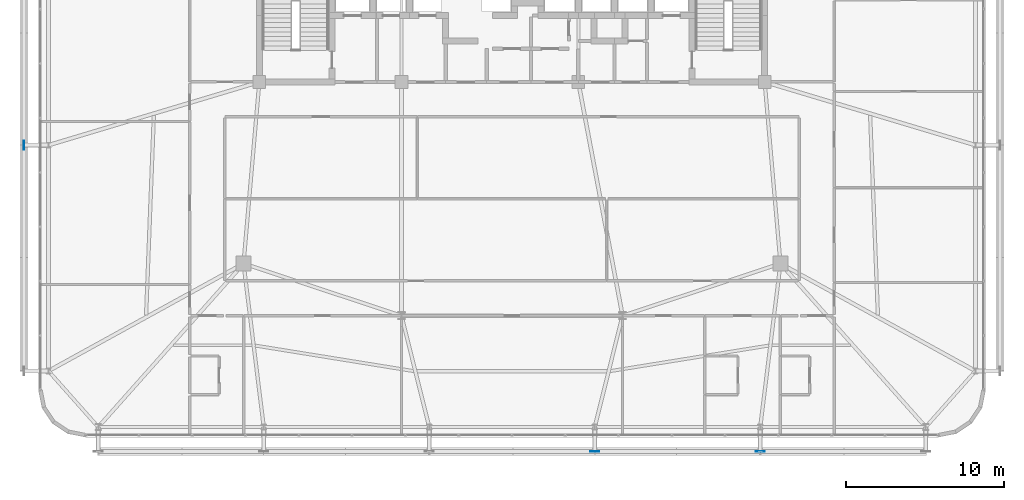
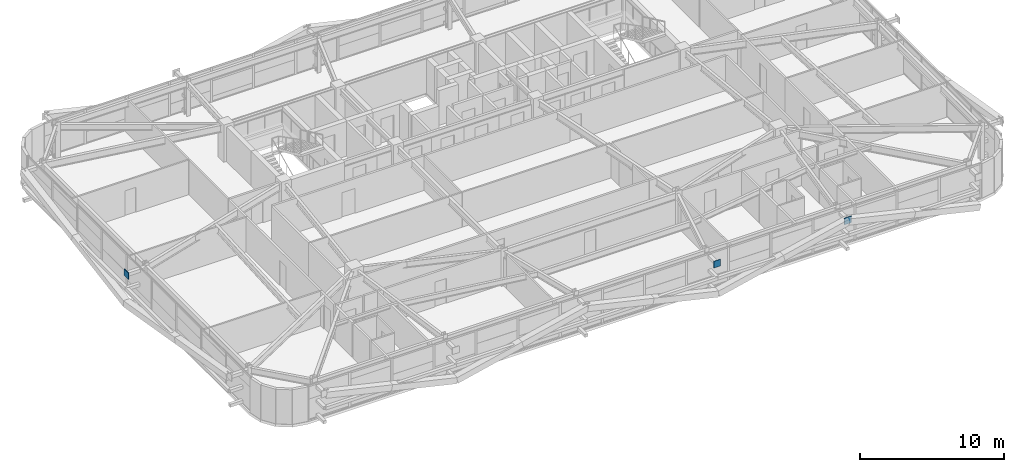
# One storey, part 46 of 59: 3 plates.
"""IFC4 building model written with IfcOpenShell, lengths in metres."""

import ifcopenshell
import ifcopenshell.guid

model = None  # the IFC model being written
_history = None  # IfcOwnerHistory: only IFC2X3 demands one
_inside = {}  # id of a spatial element -> (the spatial element, [elements in it])
_under = {}  # id of a project, library or spatial element -> (it, [spatial elements below it])
_declared = {}  # id of a project -> (the project, [libraries it declares])
_typed = {}  # id of a type object -> (the type object, [elements of that type])
_made_of = {}  # id of a material, layer set ... -> (it, [elements and type objects made of it])


def new_model(schema):
    """Start an empty IFC model of exactly this schema.

    Asked for "IFC4X3", IfcOpenShell would pick the latest addendum, in which some entities
    have other attributes; the version numbers below select the first issue.
    IFC2X3 requires an IfcOwnerHistory on every rooted entity: one is made here for all.
    """
    global model, _history
    if schema == "IFC4X3":
        model = ifcopenshell.file(schema_version=(4, 3, 0, 0))
    else:
        model = ifcopenshell.file(schema=schema)
    _inside.clear()
    _under.clear()
    _declared.clear()
    _typed.clear()
    _made_of.clear()
    _history = None
    if model.schema == "IFC2X3":
        org = make("IfcOrganization", Name="unknown")
        user = make(
            "IfcPersonAndOrganization",
            ThePerson=make("IfcPerson", FamilyName="unknown"),
            TheOrganization=org,
        )
        app = make(
            "IfcApplication",
            ApplicationDeveloper=org,
            Version="unknown",
            ApplicationFullName="unknown",
            ApplicationIdentifier="unknown",
        )
        _history = make(
            "IfcOwnerHistory",
            OwningUser=user,
            OwningApplication=app,
            ChangeAction="ADDED",
            CreationDate=0,
        )
    return model


def make(cls, **values):
    """One entity of the class cls with the attributes given. An attribute that is None is left unset."""
    return model.create_entity(
        cls, **{name: value for name, value in values.items() if value is not None}
    )


def rooted(cls, **values):
    """An entity with a GlobalId (a new one), such as an element, a storey or a relation."""
    return make(cls, GlobalId=ifcopenshell.guid.new(), OwnerHistory=_history, **values)


def si_unit(unit_type, name, prefix=None):
    """IfcSIUnit, for example si_unit("LENGTHUNIT", "METRE", prefix="MILLI")."""
    return make("IfcSIUnit", UnitType=unit_type, Prefix=prefix, Name=name)


def assignment(units):
    """IfcUnitAssignment: the units of a project."""
    return None if units is None else make("IfcUnitAssignment", Units=units)


def point(xyz):
    """IfcCartesianPoint."""
    return None if xyz is None else make("IfcCartesianPoint", Coordinates=xyz)


def direction(xyz):
    """IfcDirection."""
    return None if xyz is None else make("IfcDirection", DirectionRatios=xyz)


def frame(location, z_axis=None, x_axis=None):
    """IfcAxis2Placement3D, a coordinate frame: its origin and axes. An axis left out is left unset."""
    return make(
        "IfcAxis2Placement3D",
        Location=point(location),
        Axis=direction(z_axis),
        RefDirection=direction(x_axis),
    )


def frame_2d(location, x_axis=None):
    """IfcAxis2Placement2D, a coordinate frame in the plane: its origin and x axis."""
    return make(
        "IfcAxis2Placement2D", Location=point(location), RefDirection=direction(x_axis)
    )


def origin():
    """The frame at (0, 0, 0) with its axes left unset."""
    return frame((0.0, 0.0, 0.0))


def origin_2d():
    """The frame at (0, 0) in the plane with its x axis left unset."""
    return frame_2d((0.0, 0.0))


def place(relative_to, where):
    """IfcLocalPlacement: puts the frame where relative to a parent placement (None: the world)."""
    return make(
        "IfcLocalPlacement", PlacementRelTo=relative_to, RelativePlacement=where
    )


def context(
    kind, dimensions, precision=None, world=None, true_north=None, identifier=None
):
    """IfcGeometricRepresentationContext, for example the 3D "Model" context."""
    return make(
        "IfcGeometricRepresentationContext",
        ContextIdentifier=identifier,
        ContextType=kind,
        CoordinateSpaceDimension=dimensions,
        Precision=precision,
        WorldCoordinateSystem=world,
        TrueNorth=true_north,
    )


def subcontext(parent, identifier, kind, view, scale=None):
    """IfcGeometricRepresentationSubContext, for example "Body" below "Model"."""
    return make(
        "IfcGeometricRepresentationSubContext",
        ContextIdentifier=identifier,
        ContextType=kind,
        ParentContext=parent,
        TargetScale=scale,
        TargetView=view,
    )


def project(units=None, contexts=None):
    """IfcProject with its units and contexts."""
    return rooted(
        "IfcProject",
        Name="project",
        RepresentationContexts=contexts,
        UnitsInContext=assignment(units),
    )


def spatial(cls, under=None, at=None, **own):
    """A site, building, storey or space (cls), placed at a placement, below another one or the project."""
    s = rooted(cls, ObjectPlacement=at, **own)
    if under is not None:
        _under.setdefault(under.id(), (under, []))[1].append(s)
    return s


def profile(cls, at=None, kind="AREA", **sizes):
    """A parametric profile (cls). Its sizes go by their IFC names, for example OverallWidth=200.0."""
    return make(cls, ProfileType=kind, Position=at, **sizes)


def rectangle(**sizes):
    """IfcRectangleProfileDef."""
    return profile("IfcRectangleProfileDef", **sizes)


def extrude(swept, where, along, depth):
    """IfcExtrudedAreaSolid: the profile swept, set in the frame where, extruded along a direction by depth."""
    return make(
        "IfcExtrudedAreaSolid",
        SweptArea=swept,
        Position=where,
        ExtrudedDirection=direction(along),
        Depth=depth,
    )


def shape(context_of_items, identifier, shape_type, items):
    """IfcShapeRepresentation: the items that make up one representation, for example the "Body"."""
    return make(
        "IfcShapeRepresentation",
        ContextOfItems=context_of_items,
        RepresentationIdentifier=identifier,
        RepresentationType=shape_type,
        Items=items,
    )


def source(mapping_origin, context_of_items, identifier, shape_type, items):
    """IfcRepresentationMap: a shape defined once, which mapped items show again and again."""
    return make(
        "IfcRepresentationMap",
        MappingOrigin=mapping_origin,
        MappedRepresentation=shape(context_of_items, identifier, shape_type, items),
    )


def transform(
    local_origin,
    x_axis=None,
    y_axis=None,
    z_axis=None,
    scale=None,
    scale2=None,
    scale3=None,
    uniform=True,
):
    """IfcCartesianTransformationOperator3D, or its non-uniform kind. x_axis, y_axis, z_axis: its Axis1, 2, 3."""
    if uniform:
        return make(
            "IfcCartesianTransformationOperator3D",
            Axis1=direction(x_axis),
            Axis2=direction(y_axis),
            LocalOrigin=point(local_origin),
            Scale=scale,
            Axis3=direction(z_axis),
        )
    return make(
        "IfcCartesianTransformationOperator3DnonUniform",
        Axis1=direction(x_axis),
        Axis2=direction(y_axis),
        LocalOrigin=point(local_origin),
        Scale=scale,
        Axis3=direction(z_axis),
        Scale2=scale2,
        Scale3=scale3,
    )


def mapped(mapping_source, mapping_target):
    """IfcMappedItem: shows the shape of a source again, moved by a transform."""
    return make(
        "IfcMappedItem", MappingSource=mapping_source, MappingTarget=mapping_target
    )


def material(Name=None, Category=None):
    """IfcMaterial."""
    return make("IfcMaterial", Name=Name, Category=Category)


def layer(
    of_material, thickness, ventilated=None, Name=None, Category=None, Priority=None
):
    """IfcMaterialLayer: one layer of a wall or slab, of a material (None: an air gap)."""
    return make(
        "IfcMaterialLayer",
        Material=of_material,
        LayerThickness=thickness,
        IsVentilated=ventilated,
        Name=Name,
        Category=Category,
        Priority=Priority,
    )


def layer_set(layers, Name=None):
    """IfcMaterialLayerSet."""
    return make("IfcMaterialLayerSet", MaterialLayers=layers, LayerSetName=Name)


def made_of(thing, what):
    """Note that an element or type object is made of a material, layer set ...; save() writes the relation."""
    if what is not None:
        _made_of.setdefault(what.id(), (what, []))[1].append(thing)
    return thing


def type_object(cls, material=None, **own):
    """A type object (cls), such as IfcWallType, which elements share."""
    return made_of(rooted(cls, **own), material)


def element(
    cls,
    number,
    at=None,
    inside=None,
    cuts=None,
    type_object=None,
    material=None,
    context=None,
    identifier="Body",
    shape_type=None,
    held_by="IfcProductDefinitionShape",
    body=None,
    shapes=None,
    **own,
):
    """One element of the class cls, such as IfcWall. Its Tag is "e" and its number.

    at: its placement. inside: the storey or other place that contains it. cuts: it is an
    opening in that element (IfcRelVoidsElement). A single representation is given by context,
    identifier, shape_type and body (its items); several are given by shapes. held_by: the class
    of the entity that holds the representations. save() writes the other relations.
    """
    e = rooted(cls, Tag="e%d" % number, ObjectPlacement=at, **own)
    if body is not None:
        shapes = [shape(context, identifier, shape_type, body)]
    if shapes is not None:
        e.Representation = make(held_by, Representations=shapes)
    if inside is not None:
        _inside.setdefault(inside.id(), (inside, []))[1].append(e)
    if cuts is not None:
        rooted(
            "IfcRelVoidsElement", RelatingBuildingElement=cuts, RelatedOpeningElement=e
        )
    if type_object is not None:
        _typed.setdefault(type_object.id(), (type_object, []))[1].append(e)
    return made_of(e, material)


def aggregate(whole, parts):
    """IfcRelAggregates: a whole, such as a stair, and the parts it consists of."""
    return rooted("IfcRelAggregates", RelatingObject=whole, RelatedObjects=parts)


def save(model, path):
    """Write the relations noted so far, then the file.

    IfcRelAggregates (storeys below a building ...), IfcRelContainedInSpatialStructure (elements
    in a storey), IfcRelDefinesByType, IfcRelAssociatesMaterial and IfcRelDeclares: one each for
    every whole, place, type object, material and project.
    """
    for whole, parts in _under.values():
        aggregate(whole, parts)
    for where, things in _inside.values():
        rooted(
            "IfcRelContainedInSpatialStructure",
            RelatedElements=things,
            RelatingStructure=where,
        )
    for kind, things in _typed.values():
        rooted("IfcRelDefinesByType", RelatedObjects=things, RelatingType=kind)
    for what, things in _made_of.values():
        rooted("IfcRelAssociatesMaterial", RelatedObjects=things, RelatingMaterial=what)
    for by, libraries in _declared.values():
        rooted("IfcRelDeclares", RelatingContext=by, RelatedDefinitions=libraries)
    model.write(path)


model = new_model("IFC4")

# Units and contexts
model_context = context("Model", 3, precision=1e-05, world=origin(), true_north=direction((0.0, 1.0)))
body_context = subcontext(model_context, "Body", "Model", "MODEL_VIEW")
ifc_project = project(units=[si_unit("LENGTHUNIT", "METRE"), si_unit("AREAUNIT", "SQUARE_METRE"), si_unit("VOLUMEUNIT", "CUBIC_METRE"), si_unit("PLANEANGLEUNIT", "RADIAN"), si_unit("MASSUNIT", "GRAM", prefix="KILO")], contexts=[model_context])

# Site, building, storey
site_placement = place(None, origin())
site = spatial("IfcSite", under=ifc_project, at=site_placement, CompositionType="ELEMENT")
building_placement = place(site_placement, origin())
building = spatial("IfcBuilding", under=site, at=building_placement, Name="Taldren Reach Tower", CompositionType="ELEMENT")
storey_placement = place(building_placement, frame((0.0, 0.0, 26.25)))
storey = spatial("IfcBuildingStorey", under=building, at=storey_placement, Name="L07", CompositionType="ELEMENT", Elevation=26.25)

# Plates
ifc_material = material(Name="Steel Gr 450 (C450L0)", Category="steel")
ifc_layer = layer(ifc_material, 0.0400390625)
ifc_layer_set = layer_set([ifc_layer], Name="Steel Gr 450 (C450L0)")
plate_type = type_object("IfcPlateType", Name="PL-GUSSET-40", PredefinedType="SHEET", material=ifc_layer_set)
shared_shape = source(origin(), body_context, "Body", "SweptSolid", [
    extrude(rectangle(XDim=0.56005859375, YDim=0.0400390625, at=origin_2d()), origin(), (0.0, 0.0, 1.0), 0.56005859375),
])
for number, where, z_axis, x_axis, name in (
    (1, (40.239990234375, 0.60009765625, 2.369873046875), (0.0, 0.0, 1.0), (1.0, 0.0, 0.0), "Exoskeleton star-node gusset plate B1-S4 L07"),
    (2, (50.719970703125, 0.60009765625, 2.369873046875), (0.0, 0.0, 1.0), (1.0, 0.0, 0.0), "Exoskeleton star-node gusset plate B1-S5 L07"),
    (3, (4.10009765625, 20.0, 2.369873046875), (0.0, 0.0, 1.0), (0.0, 1.0, 0.0), "Exoskeleton star-node gusset plate B1-W2 L07"),
):
    element("IfcPlate", number, at=place(storey_placement, frame(where, z_axis=z_axis, x_axis=x_axis)), inside=storey, type_object=plate_type, Name=name, PredefinedType="SHEET", context=body_context, shape_type="MappedRepresentation", body=[
        mapped(shared_shape, transform((0.0, 0.0, 0.0), scale=1.0)),
    ])

save(model, "model.ifc")
